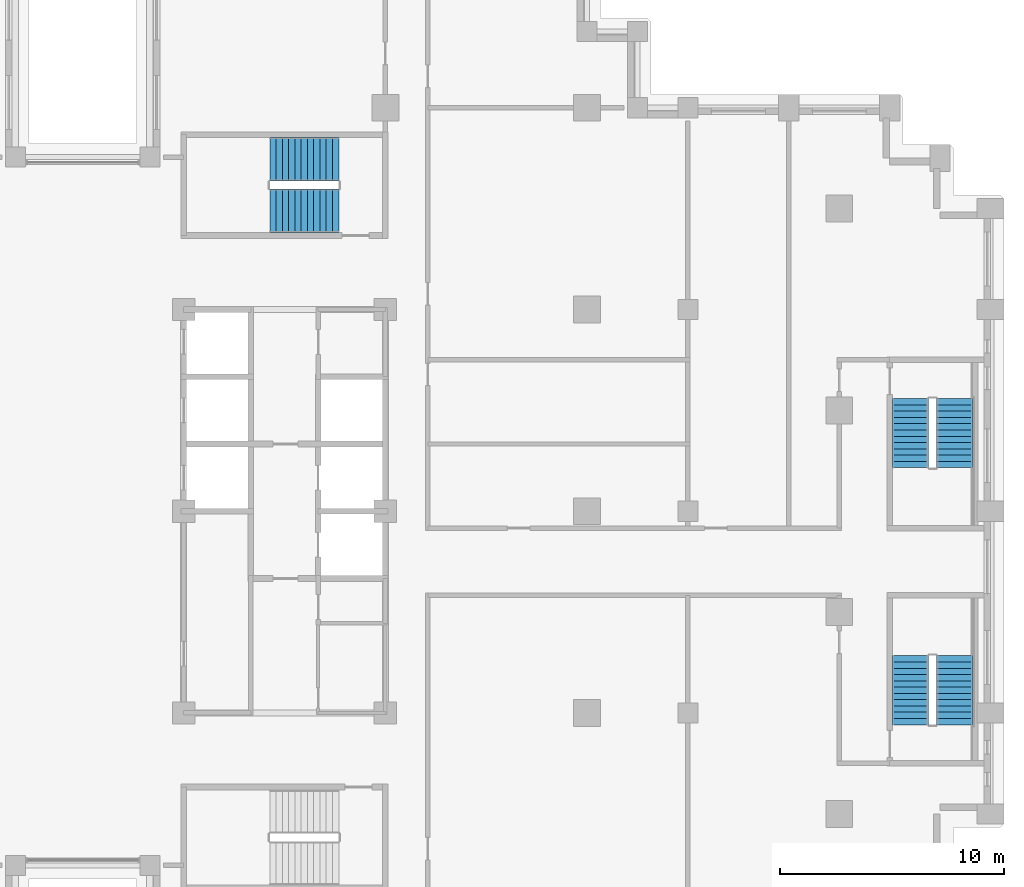
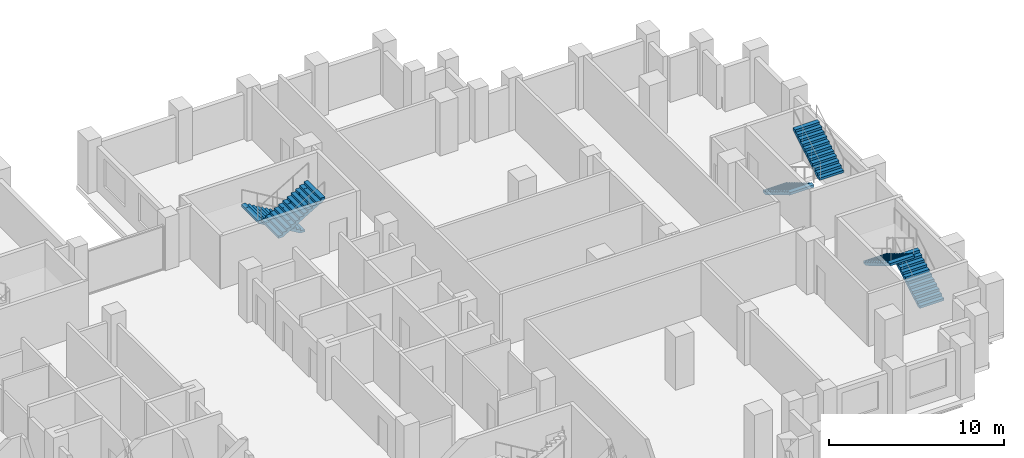
# One storey, part 13 of 15: 6 stair flights, 3 elements without a shape of their own.
"""IFC4 building model written with IfcOpenShell, lengths in metres."""

from ifc_helpers import new_model, si_unit, direction, frame, origin, place, context, subcontext, project, spatial, polyline, outline, extrude, material, type_object, element, aggregate, save


model = new_model("IFC4")

# Units and contexts
model_context = context("Model", 3, precision=1e-05, world=origin(), true_north=direction((0.0, 1.0)))
body_context = subcontext(model_context, "Body", "Model", "MODEL_VIEW")
ifc_project = project(units=[si_unit("LENGTHUNIT", "METRE"), si_unit("AREAUNIT", "SQUARE_METRE"), si_unit("VOLUMEUNIT", "CUBIC_METRE"), si_unit("PLANEANGLEUNIT", "RADIAN"), si_unit("MASSUNIT", "GRAM", prefix="KILO")], contexts=[model_context])

# Site, building, storey
site_placement = place(None, origin())
site = spatial("IfcSite", under=ifc_project, at=site_placement, CompositionType="ELEMENT")
building_placement = place(site_placement, origin())
building = spatial("IfcBuilding", under=site, at=building_placement, Name="Corbelhall Arena Tower", CompositionType="ELEMENT")
storey_placement = place(building_placement, frame((0.0, 0.0, 84.0)))
storey = spatial("IfcBuildingStorey", under=building, at=storey_placement, Name="L13", CompositionType="ELEMENT", Elevation=84.0)

# Stair, stair flights
ifc_material = material(Name="Concrete C40/50", Category="concrete")
stair_type = type_object("IfcStairType", Name="IN-ST-TOWER", PredefinedType="HALF_TURN_STAIR", material=ifc_material)
stair_1_placement = place(storey_placement, origin())
stair_1 = element("IfcStair", 1, at=stair_1_placement, inside=storey, type_object=stair_type, Name="L13 Exit stair ST3", PredefinedType="HALF_TURN_STAIR")
stair_flight_type = type_object("IfcStairFlightType", Name="IN-SFL-RC", PredefinedType="STRAIGHT", material=ifc_material)
stair_flight_1_placement = place(storey_placement, frame((11.425048828125, 15.699951171875, 0.0), z_axis=(0.0, 0.0, 1.0), x_axis=(-1.0, 0.0, 0.0)))
stair_flight_1 = element("IfcStairFlight", 2, at=stair_flight_1_placement, type_object=stair_flight_type, Name="ST3 flight 1", NumberOfRisers=12, NumberOfTreads=11, PredefinedType="STRAIGHT", RiserHeight=0.166666667, TreadLength=0.28, context=body_context, shape_type="SweptSolid", body=[
    extrude(outline(polyline([(0.0, 0.0), (0.0, 0.166748046875), (0.280029296875, 0.166748046875), (0.280029296875, 0.333251953125), (0.56005859375, 0.333251953125), (0.56005859375, 0.5), (0.840087890625, 0.5), (0.840087890625, 0.666748046875), (1.1201171875, 0.666748046875), (1.1201171875, 0.833251953125), (1.39990234375, 0.833251953125), (1.39990234375, 1.0), (1.679931640625, 1.0), (1.679931640625, 1.166748046875), (1.9599609375, 1.166748046875), (1.9599609375, 1.333251953125), (2.239990234375, 1.333251953125), (2.239990234375, 1.5), (2.52001953125, 1.5), (2.52001953125, 1.666748046875), (2.800048828125, 1.666748046875), (2.800048828125, 1.833251953125), (3.080078125, 1.833251953125), (3.080078125, 2.0), (3.080078125, 1.658935546875), (0.29296875, 0.0), (0.0, 0.0)])), frame((0.0, 0.97509765625, 0.0), z_axis=(0.0, -1.0, 0.0), x_axis=(1.0, 0.0, 0.0)), (0.0, 0.0, 1.0), 0.449951171875),
    extrude(outline(polyline([(0.0, 0.0), (0.0, 0.166748046875), (0.280029296875, 0.166748046875), (0.280029296875, 0.333251953125), (0.56005859375, 0.333251953125), (0.56005859375, 0.5), (0.840087890625, 0.5), (0.840087890625, 0.666748046875), (1.1201171875, 0.666748046875), (1.1201171875, 0.833251953125), (1.39990234375, 0.833251953125), (1.39990234375, 1.0), (1.679931640625, 1.0), (1.679931640625, 1.166748046875), (1.9599609375, 1.166748046875), (1.9599609375, 1.333251953125), (2.239990234375, 1.333251953125), (2.239990234375, 1.5), (2.52001953125, 1.5), (2.52001953125, 1.666748046875), (2.800048828125, 1.666748046875), (2.800048828125, 1.833251953125), (3.080078125, 1.833251953125), (3.080078125, 2.0), (3.080078125, 1.658935546875), (0.29296875, 0.0), (0.0, 0.0)])), frame((0.0, 0.52099609375, 0.0), z_axis=(0.0, -1.0, 0.0), x_axis=(1.0, 0.0, 0.0)), (0.0, 0.0, 1.0), 1.0419921875),
    extrude(outline(polyline([(0.0, 0.0), (0.0, 0.166748046875), (0.280029296875, 0.166748046875), (0.280029296875, 0.333251953125), (0.56005859375, 0.333251953125), (0.56005859375, 0.5), (0.840087890625, 0.5), (0.840087890625, 0.666748046875), (1.1201171875, 0.666748046875), (1.1201171875, 0.833251953125), (1.39990234375, 0.833251953125), (1.39990234375, 1.0), (1.679931640625, 1.0), (1.679931640625, 1.166748046875), (1.9599609375, 1.166748046875), (1.9599609375, 1.333251953125), (2.239990234375, 1.333251953125), (2.239990234375, 1.5), (2.52001953125, 1.5), (2.52001953125, 1.666748046875), (2.800048828125, 1.666748046875), (2.800048828125, 1.833251953125), (3.080078125, 1.833251953125), (3.080078125, 2.0), (3.080078125, 1.658935546875), (0.29296875, 0.0), (0.0, 0.0)])), frame((0.0, -0.52490234375, 0.0), z_axis=(0.0, -1.0, 0.0), x_axis=(1.0, 0.0, 0.0)), (0.0, 0.0, 1.0), 0.449951171875),
])
stair_flight_2_placement = place(storey_placement, frame((8.344970703125, 13.39990234375, 2.0), z_axis=(0.0, 0.0, 1.0), x_axis=(1.0, 0.0, 0.0)))
stair_flight_2 = element("IfcStairFlight", 3, at=stair_flight_2_placement, type_object=stair_flight_type, Name="ST3 flight 2", NumberOfRisers=12, NumberOfTreads=11, PredefinedType="STRAIGHT", RiserHeight=0.166666667, TreadLength=0.28, context=body_context, shape_type="SweptSolid", body=[
    extrude(outline(polyline([(0.0, 0.0), (0.0, 0.166748046875), (0.280029296875, 0.166748046875), (0.280029296875, 0.333251953125), (0.56005859375, 0.333251953125), (0.56005859375, 0.5), (0.840087890625, 0.5), (0.840087890625, 0.666748046875), (1.1201171875, 0.666748046875), (1.1201171875, 0.833251953125), (1.39990234375, 0.833251953125), (1.39990234375, 1.0), (1.679931640625, 1.0), (1.679931640625, 1.166748046875), (1.9599609375, 1.166748046875), (1.9599609375, 1.333251953125), (2.239990234375, 1.333251953125), (2.239990234375, 1.5), (2.52001953125, 1.5), (2.52001953125, 1.666748046875), (2.800048828125, 1.666748046875), (2.800048828125, 1.833251953125), (3.080078125, 1.833251953125), (3.080078125, 2.0), (3.080078125, 1.658935546875), (0.29296875, 0.0), (0.0, 0.0)])), frame((0.0, 0.97509765625, 0.0), z_axis=(0.0, -1.0, 0.0), x_axis=(1.0, 0.0, 0.0)), (0.0, 0.0, 1.0), 0.449951171875),
    extrude(outline(polyline([(0.0, 0.0), (0.0, 0.166748046875), (0.280029296875, 0.166748046875), (0.280029296875, 0.333251953125), (0.56005859375, 0.333251953125), (0.56005859375, 0.5), (0.840087890625, 0.5), (0.840087890625, 0.666748046875), (1.1201171875, 0.666748046875), (1.1201171875, 0.833251953125), (1.39990234375, 0.833251953125), (1.39990234375, 1.0), (1.679931640625, 1.0), (1.679931640625, 1.166748046875), (1.9599609375, 1.166748046875), (1.9599609375, 1.333251953125), (2.239990234375, 1.333251953125), (2.239990234375, 1.5), (2.52001953125, 1.5), (2.52001953125, 1.666748046875), (2.800048828125, 1.666748046875), (2.800048828125, 1.833251953125), (3.080078125, 1.833251953125), (3.080078125, 2.0), (3.080078125, 1.658935546875), (0.29296875, 0.0), (0.0, 0.0)])), frame((0.0, 0.52099609375, 0.0), z_axis=(0.0, -1.0, 0.0), x_axis=(1.0, 0.0, 0.0)), (0.0, 0.0, 1.0), 1.0419921875),
    extrude(outline(polyline([(0.0, 0.0), (0.0, 0.166748046875), (0.280029296875, 0.166748046875), (0.280029296875, 0.333251953125), (0.56005859375, 0.333251953125), (0.56005859375, 0.5), (0.840087890625, 0.5), (0.840087890625, 0.666748046875), (1.1201171875, 0.666748046875), (1.1201171875, 0.833251953125), (1.39990234375, 0.833251953125), (1.39990234375, 1.0), (1.679931640625, 1.0), (1.679931640625, 1.166748046875), (1.9599609375, 1.166748046875), (1.9599609375, 1.333251953125), (2.239990234375, 1.333251953125), (2.239990234375, 1.5), (2.52001953125, 1.5), (2.52001953125, 1.666748046875), (2.800048828125, 1.666748046875), (2.800048828125, 1.833251953125), (3.080078125, 1.833251953125), (3.080078125, 2.0), (3.080078125, 1.658935546875), (0.29296875, 0.0), (0.0, 0.0)])), frame((0.0, -0.52490234375, 0.0), z_axis=(0.0, -1.0, 0.0), x_axis=(1.0, 0.0, 0.0)), (0.0, 0.0, 1.0), 0.449951171875),
])
aggregate(stair_1, [stair_flight_1, stair_flight_2])

stair_2_placement = place(storey_placement, origin())
stair_2 = element("IfcStair", 4, at=stair_2_placement, inside=storey, type_object=stair_type, Name="L13 Exit stair SD1", PredefinedType="HALF_TURN_STAIR")
stair_flight_3_placement = place(storey_placement, frame((38.89990234375, -9.52490234375, 0.0), z_axis=(0.0, 0.0, 1.0), x_axis=(0.0, 1.0, 0.0)))
stair_flight_3 = element("IfcStairFlight", 5, at=stair_flight_3_placement, type_object=stair_flight_type, Name="SD1 flight 1", NumberOfRisers=12, NumberOfTreads=11, PredefinedType="STRAIGHT", RiserHeight=0.166666667, TreadLength=0.28, context=body_context, shape_type="SweptSolid", body=[
    extrude(outline(polyline([(0.0, 0.0), (0.0, 0.166748046875), (0.280029296875, 0.166748046875), (0.280029296875, 0.333251953125), (0.56005859375, 0.333251953125), (0.56005859375, 0.5), (0.840087890625, 0.5), (0.840087890625, 0.666748046875), (1.1201171875, 0.666748046875), (1.1201171875, 0.833251953125), (1.39990234375, 0.833251953125), (1.39990234375, 1.0), (1.679931640625, 1.0), (1.679931640625, 1.166748046875), (1.9599609375, 1.166748046875), (1.9599609375, 1.333251953125), (2.239990234375, 1.333251953125), (2.239990234375, 1.5), (2.52001953125, 1.5), (2.52001953125, 1.666748046875), (2.800048828125, 1.666748046875), (2.800048828125, 1.833251953125), (3.080078125, 1.833251953125), (3.080078125, 2.0), (3.080078125, 1.658935546875), (0.29296875, 0.0), (0.0, 0.0)])), frame((0.0, 0.800048828125, 0.0), z_axis=(0.0, -1.0, 0.0), x_axis=(1.0, 0.0, 0.0)), (0.0, 0.0, 1.0), 1.60009765625),
])
stair_flight_4_placement = place(storey_placement, frame((36.925048828125, -6.445068359375, 2.0), z_axis=(0.0, 0.0, 1.0), x_axis=(0.0, -1.0, 0.0)))
stair_flight_4 = element("IfcStairFlight", 6, at=stair_flight_4_placement, type_object=stair_flight_type, Name="SD1 flight 2", NumberOfRisers=12, NumberOfTreads=11, PredefinedType="STRAIGHT", RiserHeight=0.166666667, TreadLength=0.28, context=body_context, shape_type="SweptSolid", body=[
    extrude(outline(polyline([(0.0, 0.0), (0.0, 0.166748046875), (0.280029296875, 0.166748046875), (0.280029296875, 0.333251953125), (0.56005859375, 0.333251953125), (0.56005859375, 0.5), (0.840087890625, 0.5), (0.840087890625, 0.666748046875), (1.1201171875, 0.666748046875), (1.1201171875, 0.833251953125), (1.39990234375, 0.833251953125), (1.39990234375, 1.0), (1.679931640625, 1.0), (1.679931640625, 1.166748046875), (1.9599609375, 1.166748046875), (1.9599609375, 1.333251953125), (2.239990234375, 1.333251953125), (2.239990234375, 1.5), (2.52001953125, 1.5), (2.52001953125, 1.666748046875), (2.800048828125, 1.666748046875), (2.800048828125, 1.833251953125), (3.080078125, 1.833251953125), (3.080078125, 2.0), (3.080078125, 1.658935546875), (0.29296875, 0.0), (0.0, 0.0)])), frame((0.0, 0.800048828125, 0.0), z_axis=(0.0, -1.0, 0.0), x_axis=(1.0, 0.0, 0.0)), (0.0, 0.0, 1.0), 1.60009765625),
])
aggregate(stair_2, [stair_flight_3, stair_flight_4])

stair_3_placement = place(storey_placement, origin())
stair_3 = element("IfcStair", 7, at=stair_3_placement, inside=storey, type_object=stair_type, Name="L13 Exit stair SD2", PredefinedType="HALF_TURN_STAIR")
stair_flight_5_placement = place(storey_placement, frame((36.925048828125, 5.02490234375, 0.0), z_axis=(0.0, 0.0, 1.0), x_axis=(0.0, -1.0, 0.0)))
stair_flight_5 = element("IfcStairFlight", 8, at=stair_flight_5_placement, type_object=stair_flight_type, Name="SD2 flight 1", NumberOfRisers=12, NumberOfTreads=11, PredefinedType="STRAIGHT", RiserHeight=0.166666667, TreadLength=0.28, context=body_context, shape_type="SweptSolid", body=[
    extrude(outline(polyline([(0.0, 0.0), (0.0, 0.166748046875), (0.280029296875, 0.166748046875), (0.280029296875, 0.333251953125), (0.56005859375, 0.333251953125), (0.56005859375, 0.5), (0.840087890625, 0.5), (0.840087890625, 0.666748046875), (1.1201171875, 0.666748046875), (1.1201171875, 0.833251953125), (1.39990234375, 0.833251953125), (1.39990234375, 1.0), (1.679931640625, 1.0), (1.679931640625, 1.166748046875), (1.9599609375, 1.166748046875), (1.9599609375, 1.333251953125), (2.239990234375, 1.333251953125), (2.239990234375, 1.5), (2.52001953125, 1.5), (2.52001953125, 1.666748046875), (2.800048828125, 1.666748046875), (2.800048828125, 1.833251953125), (3.080078125, 1.833251953125), (3.080078125, 2.0), (3.080078125, 1.658935546875), (0.29296875, 0.0), (0.0, 0.0)])), frame((0.0, 0.800048828125, 0.0), z_axis=(0.0, -1.0, 0.0), x_axis=(1.0, 0.0, 0.0)), (0.0, 0.0, 1.0), 1.60009765625),
])
stair_flight_6_placement = place(storey_placement, frame((38.89990234375, 1.945068359375, 2.0), z_axis=(0.0, 0.0, 1.0), x_axis=(0.0, 1.0, 0.0)))
stair_flight_6 = element("IfcStairFlight", 9, at=stair_flight_6_placement, type_object=stair_flight_type, Name="SD2 flight 2", NumberOfRisers=12, NumberOfTreads=11, PredefinedType="STRAIGHT", RiserHeight=0.166666667, TreadLength=0.28, context=body_context, shape_type="SweptSolid", body=[
    extrude(outline(polyline([(0.0, 0.0), (0.0, 0.166748046875), (0.280029296875, 0.166748046875), (0.280029296875, 0.333251953125), (0.56005859375, 0.333251953125), (0.56005859375, 0.5), (0.840087890625, 0.5), (0.840087890625, 0.666748046875), (1.1201171875, 0.666748046875), (1.1201171875, 0.833251953125), (1.39990234375, 0.833251953125), (1.39990234375, 1.0), (1.679931640625, 1.0), (1.679931640625, 1.166748046875), (1.9599609375, 1.166748046875), (1.9599609375, 1.333251953125), (2.239990234375, 1.333251953125), (2.239990234375, 1.5), (2.52001953125, 1.5), (2.52001953125, 1.666748046875), (2.800048828125, 1.666748046875), (2.800048828125, 1.833251953125), (3.080078125, 1.833251953125), (3.080078125, 2.0), (3.080078125, 1.658935546875), (0.29296875, 0.0), (0.0, 0.0)])), frame((0.0, 0.800048828125, 0.0), z_axis=(0.0, -1.0, 0.0), x_axis=(1.0, 0.0, 0.0)), (0.0, 0.0, 1.0), 1.60009765625),
])
aggregate(stair_3, [stair_flight_5, stair_flight_6])

save(model, "model.ifc")
